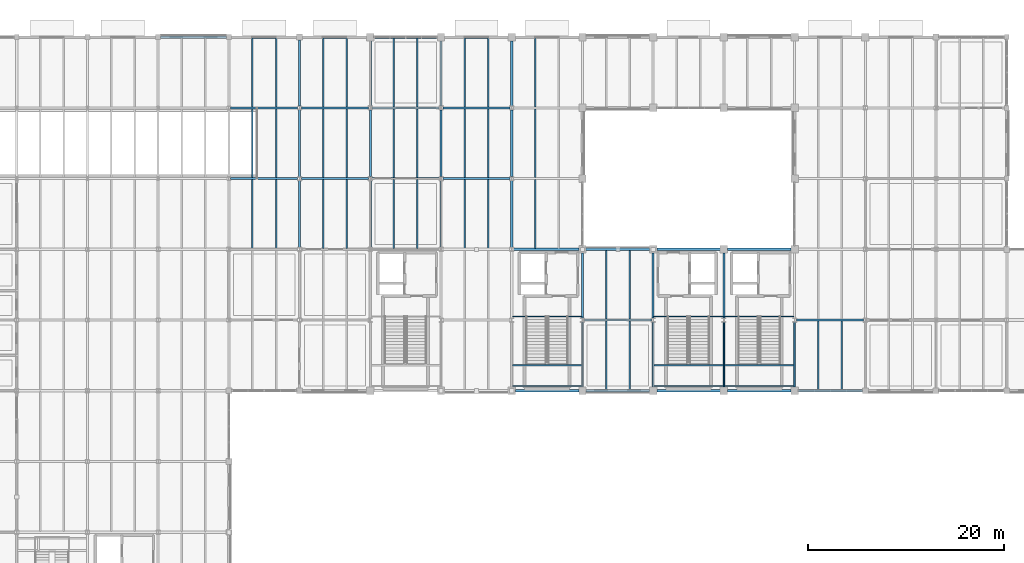
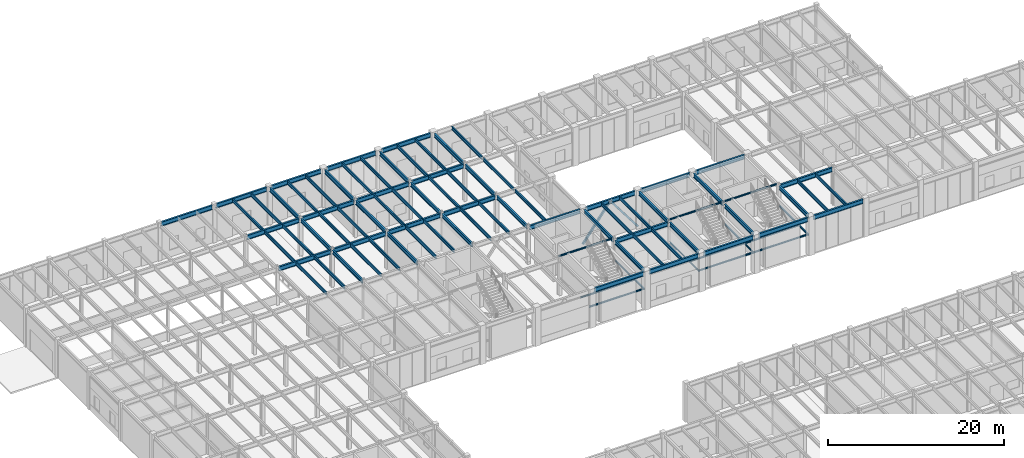
# One storey, part 26 of 97: 89 beams, 2 members.
"""IFC4 building model written with IfcOpenShell, lengths in metres."""

from ifc_helpers import new_model, si_unit, direction, frame, origin, origin_2d, place, context, subcontext, project, spatial, hollow_rectangle, i_section, extrude, material, material_profile, profile_set, type_object, element, save


model = new_model("IFC4")

# Units and contexts
model_context = context("Model", 3, precision=1e-05, world=origin(), true_north=direction((0.0, 1.0)))
body_context = subcontext(model_context, "Body", "Model", "MODEL_VIEW")
ifc_project = project(units=[si_unit("LENGTHUNIT", "METRE"), si_unit("AREAUNIT", "SQUARE_METRE"), si_unit("VOLUMEUNIT", "CUBIC_METRE"), si_unit("PLANEANGLEUNIT", "RADIAN"), si_unit("MASSUNIT", "GRAM", prefix="KILO")], contexts=[model_context])

# Site, building, storey
site_placement = place(None, origin())
site = spatial("IfcSite", under=ifc_project, at=site_placement, CompositionType="ELEMENT")
building_placement = place(site_placement, origin())
building = spatial("IfcBuilding", under=site, at=building_placement, Name="Sillqori Civic Hall", CompositionType="ELEMENT")
storey_placement = place(building_placement, origin())
storey = spatial("IfcBuildingStorey", under=building, at=storey_placement, Name="L01", CompositionType="ELEMENT", Elevation=0.0)

# Beams
ifc_material_1 = material(Name="Steel ASTM A992", Category="steel")
ifc_material_profile_1 = material_profile(ifc_material_1, i_section(OverallWidth=0.2099609375, OverallDepth=0.532958984375, WebThickness=0.01025390625, FlangeThickness=0.015625, FilletRadius=0.013916015625, at=origin_2d()), Name="W21X62")
ifc_profile_set_1 = profile_set([ifc_material_profile_1], Name="Steel ASTM A992")
beam_type_1 = type_object("IfcBeamType", Name="BM-W21X62", PredefinedType="BEAM", material=ifc_profile_set_1)
for number, where, z_axis, x_axis, name in (
    (1, (43.199951171875, 93.787109375, 4.93359375), (0.0, 1.0, 0.0), (-1.0, 0.0, 0.0), "L01 girder Y 6-13"),
    (2, (43.199951171875, 100.987060546875, 4.93359375), (0.0, 1.0, 0.0), (-1.0, 0.0, 0.0), "L01 girder Y 6-14"),
):
    element("IfcBeam", number, at=place(storey_placement, frame(where, z_axis=z_axis, x_axis=x_axis)), inside=storey, type_object=beam_type_1, Name=name, PredefinedType="BEAM", context=body_context, shape_type="SweptSolid", body=[
        extrude(i_section(OverallWidth=0.2099609375, OverallDepth=0.532958984375, WebThickness=0.01025390625, FlangeThickness=0.015625, FilletRadius=0.013916015625, at=origin_2d()), origin(), (0.0, 0.0, 1.0), 6.825927734375),
    ])
beam_1_placement = place(storey_placement, frame((43.199951171875, 108.18701171875, 4.93359375), z_axis=(0.0, 1.0, 0.0), x_axis=(-1.0, 0.0, 0.0)))
element("IfcBeam", 3, at=beam_1_placement, inside=storey, type_object=beam_type_1, Name="L01 girder Y 6-15", PredefinedType="BEAM", context=body_context, shape_type="SweptSolid", body=[
    extrude(i_section(OverallWidth=0.2099609375, OverallDepth=0.532958984375, WebThickness=0.01025390625, FlangeThickness=0.015625, FilletRadius=0.013916015625, at=origin_2d()), origin(), (0.0, 0.0, 1.0), 6.718994140625),
])
beam_2_placement = place(storey_placement, frame((50.39990234375, 93.797119140625, 4.93359375), z_axis=(0.0, 1.0, 0.0), x_axis=(-1.0, 0.0, 0.0)))
element("IfcBeam", 4, at=beam_2_placement, inside=storey, type_object=beam_type_1, Name="L01 girder Y 7-13", PredefinedType="BEAM", context=body_context, shape_type="SweptSolid", body=[
    extrude(i_section(OverallWidth=0.2099609375, OverallDepth=0.532958984375, WebThickness=0.01025390625, FlangeThickness=0.015625, FilletRadius=0.013916015625, at=origin_2d()), origin(), (0.0, 0.0, 1.0), 6.811767578125),
])
beam_3_placement = place(storey_placement, frame((50.39990234375, 100.990966796875, 4.93359375), z_axis=(0.0, 1.0, 0.0), x_axis=(-1.0, 0.0, 0.0)))
element("IfcBeam", 5, at=beam_3_placement, inside=storey, type_object=beam_type_1, Name="L01 girder Y 7-14", PredefinedType="BEAM", context=body_context, shape_type="SweptSolid", body=[
    extrude(i_section(OverallWidth=0.2099609375, OverallDepth=0.532958984375, WebThickness=0.01025390625, FlangeThickness=0.015625, FilletRadius=0.013916015625, at=origin_2d()), origin(), (0.0, 0.0, 1.0), 6.818115234375),
])
beam_4_placement = place(storey_placement, frame((50.39990234375, 108.19091796875, 4.93359375), z_axis=(0.0, 1.0, 0.0), x_axis=(-1.0, 0.0, 0.0)))
element("IfcBeam", 6, at=beam_4_placement, inside=storey, type_object=beam_type_1, Name="L01 girder Y 7-15", PredefinedType="BEAM", context=body_context, shape_type="SweptSolid", body=[
    extrude(i_section(OverallWidth=0.2099609375, OverallDepth=0.532958984375, WebThickness=0.01025390625, FlangeThickness=0.015625, FilletRadius=0.013916015625, at=origin_2d()), origin(), (0.0, 0.0, 1.0), 6.64013671875),
])
for number, where, z_axis, x_axis, name in (
    (7, (57.60009765625, 93.797119140625, 4.93359375), (0.0, 1.0, 0.0), (-1.0, 0.0, 0.0), "L01 girder Y 8-13"),
    (8, (57.60009765625, 100.9970703125, 4.93359375), (0.0, 1.0, 0.0), (-1.0, 0.0, 0.0), "L01 girder Y 8-14"),
):
    element("IfcBeam", number, at=place(storey_placement, frame(where, z_axis=z_axis, x_axis=x_axis)), inside=storey, type_object=beam_type_1, Name=name, PredefinedType="BEAM", context=body_context, shape_type="SweptSolid", body=[
        extrude(i_section(OverallWidth=0.2099609375, OverallDepth=0.532958984375, WebThickness=0.01025390625, FlangeThickness=0.015625, FilletRadius=0.013916015625, at=origin_2d()), origin(), (0.0, 0.0, 1.0), 6.805908203125),
    ])
beam_5_placement = place(storey_placement, frame((57.60009765625, 108.197021484375, 4.93359375), z_axis=(0.0, 1.0, 0.0), x_axis=(-1.0, 0.0, 0.0)))
element("IfcBeam", 9, at=beam_5_placement, inside=storey, type_object=beam_type_1, Name="L01 girder Y 8-15", PredefinedType="BEAM", context=body_context, shape_type="SweptSolid", body=[
    extrude(i_section(OverallWidth=0.2099609375, OverallDepth=0.532958984375, WebThickness=0.01025390625, FlangeThickness=0.015625, FilletRadius=0.013916015625, at=origin_2d()), origin(), (0.0, 0.0, 1.0), 6.634033203125),
])
for number, where, z_axis, x_axis, name in (
    (10, (64.800048828125, 93.797119140625, 4.93359375), (0.0, 1.0, 0.0), (-1.0, 0.0, 0.0), "L01 girder Y 9-13"),
    (11, (64.800048828125, 100.9970703125, 4.93359375), (0.0, 1.0, 0.0), (-1.0, 0.0, 0.0), "L01 girder Y 9-14"),
):
    element("IfcBeam", number, at=place(storey_placement, frame(where, z_axis=z_axis, x_axis=x_axis)), inside=storey, type_object=beam_type_1, Name=name, PredefinedType="BEAM", context=body_context, shape_type="SweptSolid", body=[
        extrude(i_section(OverallWidth=0.2099609375, OverallDepth=0.532958984375, WebThickness=0.01025390625, FlangeThickness=0.015625, FilletRadius=0.013916015625, at=origin_2d()), origin(), (0.0, 0.0, 1.0), 6.805908203125),
    ])
beam_6_placement = place(storey_placement, frame((64.800048828125, 108.197021484375, 4.93359375), z_axis=(0.0, 1.0, 0.0), x_axis=(-1.0, 0.0, 0.0)))
element("IfcBeam", 12, at=beam_6_placement, inside=storey, type_object=beam_type_1, Name="L01 girder Y 9-15", PredefinedType="BEAM", context=body_context, shape_type="SweptSolid", body=[
    extrude(i_section(OverallWidth=0.2099609375, OverallDepth=0.532958984375, WebThickness=0.01025390625, FlangeThickness=0.015625, FilletRadius=0.013916015625, at=origin_2d()), origin(), (0.0, 0.0, 1.0), 6.634033203125),
])
beam_7_placement = place(storey_placement, frame((72.0, 79.569091796875, 4.93359375), z_axis=(0.0, 1.0, 0.0), x_axis=(-1.0, 0.0, 0.0)))
element("IfcBeam", 13, at=beam_7_placement, inside=storey, type_object=beam_type_1, Name="L01 girder Y 10-11", PredefinedType="BEAM", context=body_context, shape_type="SweptSolid", body=[
    extrude(i_section(OverallWidth=0.2099609375, OverallDepth=0.532958984375, WebThickness=0.01025390625, FlangeThickness=0.015625, FilletRadius=0.013916015625, at=origin_2d()), origin(), (0.0, 0.0, 1.0), 6.6337890625),
])
beam_8_placement = place(storey_placement, frame((72.0, 86.596923828125, 4.93359375), z_axis=(0.0, 1.0, 0.0), x_axis=(-1.0, 0.0, 0.0)))
element("IfcBeam", 14, at=beam_8_placement, inside=storey, type_object=beam_type_1, Name="L01 girder Y 10-12", PredefinedType="BEAM", context=body_context, shape_type="SweptSolid", body=[
    extrude(i_section(OverallWidth=0.2099609375, OverallDepth=0.532958984375, WebThickness=0.01025390625, FlangeThickness=0.015625, FilletRadius=0.013916015625, at=origin_2d()), origin(), (0.0, 0.0, 1.0), 6.634033203125),
])
beam_9_placement = place(storey_placement, frame((79.199951171875, 79.569091796875, 4.93359375), z_axis=(0.0, 1.0, 0.0), x_axis=(-1.0, 0.0, 0.0)))
element("IfcBeam", 15, at=beam_9_placement, inside=storey, type_object=beam_type_1, Name="L01 girder Y 11-11", PredefinedType="BEAM", context=body_context, shape_type="SweptSolid", body=[
    extrude(i_section(OverallWidth=0.2099609375, OverallDepth=0.532958984375, WebThickness=0.01025390625, FlangeThickness=0.015625, FilletRadius=0.013916015625, at=origin_2d()), origin(), (0.0, 0.0, 1.0), 6.6337890625),
])
beam_10_placement = place(storey_placement, frame((79.199951171875, 86.596923828125, 4.93359375), z_axis=(0.0, 1.0, 0.0), x_axis=(-1.0, 0.0, 0.0)))
element("IfcBeam", 16, at=beam_10_placement, inside=storey, type_object=beam_type_1, Name="L01 girder Y 11-12", PredefinedType="BEAM", context=body_context, shape_type="SweptSolid", body=[
    extrude(i_section(OverallWidth=0.2099609375, OverallDepth=0.532958984375, WebThickness=0.01025390625, FlangeThickness=0.015625, FilletRadius=0.013916015625, at=origin_2d()), origin(), (0.0, 0.0, 1.0), 6.634033203125),
])
beam_11_placement = place(storey_placement, frame((86.39990234375, 79.569091796875, 4.93359375), z_axis=(0.0, 1.0, 0.0), x_axis=(-1.0, 0.0, 0.0)))
element("IfcBeam", 17, at=beam_11_placement, inside=storey, type_object=beam_type_1, Name="L01 girder Y 12-11", PredefinedType="BEAM", context=body_context, shape_type="SweptSolid", body=[
    extrude(i_section(OverallWidth=0.2099609375, OverallDepth=0.532958984375, WebThickness=0.01025390625, FlangeThickness=0.015625, FilletRadius=0.013916015625, at=origin_2d()), origin(), (0.0, 0.0, 1.0), 6.6337890625),
])
beam_12_placement = place(storey_placement, frame((86.39990234375, 86.596923828125, 4.93359375), z_axis=(0.0, 1.0, 0.0), x_axis=(-1.0, 0.0, 0.0)))
element("IfcBeam", 18, at=beam_12_placement, inside=storey, type_object=beam_type_1, Name="L01 girder Y 12-12", PredefinedType="BEAM", context=body_context, shape_type="SweptSolid", body=[
    extrude(i_section(OverallWidth=0.2099609375, OverallDepth=0.532958984375, WebThickness=0.01025390625, FlangeThickness=0.015625, FilletRadius=0.013916015625, at=origin_2d()), origin(), (0.0, 0.0, 1.0), 6.634033203125),
])
beam_13_placement = place(storey_placement, frame((93.60009765625, 79.569091796875, 4.93359375), z_axis=(0.0, 1.0, 0.0), x_axis=(-1.0, 0.0, 0.0)))
element("IfcBeam", 19, at=beam_13_placement, inside=storey, type_object=beam_type_1, Name="L01 girder Y 13-11", PredefinedType="BEAM", context=body_context, shape_type="SweptSolid", body=[
    extrude(i_section(OverallWidth=0.2099609375, OverallDepth=0.532958984375, WebThickness=0.01025390625, FlangeThickness=0.015625, FilletRadius=0.013916015625, at=origin_2d()), origin(), (0.0, 0.0, 1.0), 6.6337890625),
])
ifc_material_profile_2 = material_profile(ifc_material_1, i_section(OverallWidth=0.22802734375, OverallDepth=0.60205078125, WebThickness=0.010498046875, FlangeThickness=0.014892578125, FilletRadius=0.014892578125, at=origin_2d()), Name="W24X68")
ifc_profile_set_2 = profile_set([ifc_material_profile_2], Name="Steel ASTM A992")
beam_type_2 = type_object("IfcBeamType", Name="BM-W24X68", PredefinedType="BEAM", material=ifc_profile_set_2)
beam_14_placement = place(storey_placement, frame((29.0439453125, 115.199951171875, 4.89892578125), z_axis=(1.0, 0.0, 0.0), x_axis=(0.0, 1.0, 0.0)))
element("IfcBeam", 20, at=beam_14_placement, inside=storey, type_object=beam_type_2, Name="L01 girder X 4-16", PredefinedType="BEAM", context=body_context, shape_type="SweptSolid", body=[
    extrude(i_section(OverallWidth=0.22802734375, OverallDepth=0.60205078125, WebThickness=0.010498046875, FlangeThickness=0.014892578125, FilletRadius=0.014892578125, at=origin_2d()), origin(), (0.0, 0.0, 1.0), 6.712158203125),
])
for number, where, z_axis, x_axis, name in (
    (21, (36.179443359375, 100.800048828125, 4.89892578125), (1.0, 0.0, 0.0), (0.0, 1.0, 0.0), "L01 girder X 5-14"),
    (22, (36.179443359375, 108.0, 4.89892578125), (1.0, 0.0, 0.0), (0.0, 1.0, 0.0), "L01 girder X 5-15"),
):
    element("IfcBeam", number, at=place(storey_placement, frame(where, z_axis=z_axis, x_axis=x_axis)), inside=storey, type_object=beam_type_2, Name=name, PredefinedType="BEAM", context=body_context, shape_type="SweptSolid", body=[
        extrude(i_section(OverallWidth=0.22802734375, OverallDepth=0.60205078125, WebThickness=0.010498046875, FlangeThickness=0.014892578125, FilletRadius=0.014892578125, at=origin_2d()), origin(), (0.0, 0.0, 1.0), 6.8271484375),
    ])
beam_15_placement = place(storey_placement, frame((36.243896484375, 115.199951171875, 4.89892578125), z_axis=(1.0, 0.0, 0.0), x_axis=(0.0, 1.0, 0.0)))
element("IfcBeam", 23, at=beam_15_placement, inside=storey, type_object=beam_type_2, Name="L01 girder X 5-16", PredefinedType="BEAM", context=body_context, shape_type="SweptSolid", body=[
    extrude(i_section(OverallWidth=0.22802734375, OverallDepth=0.60205078125, WebThickness=0.010498046875, FlangeThickness=0.014892578125, FilletRadius=0.014892578125, at=origin_2d()), origin(), (0.0, 0.0, 1.0), 6.662109375),
])
for number, where, z_axis, x_axis, name in (
    (24, (43.3935546875, 100.800048828125, 4.89892578125), (1.0, 0.0, 0.0), (0.0, 1.0, 0.0), "L01 girder X 6-14"),
    (25, (43.3935546875, 108.0, 4.89892578125), (1.0, 0.0, 0.0), (0.0, 1.0, 0.0), "L01 girder X 6-15"),
):
    element("IfcBeam", number, at=place(storey_placement, frame(where, z_axis=z_axis, x_axis=x_axis)), inside=storey, type_object=beam_type_2, Name=name, PredefinedType="BEAM", context=body_context, shape_type="SweptSolid", body=[
        extrude(i_section(OverallWidth=0.22802734375, OverallDepth=0.60205078125, WebThickness=0.010498046875, FlangeThickness=0.014892578125, FilletRadius=0.014892578125, at=origin_2d()), origin(), (0.0, 0.0, 1.0), 6.81298828125),
    ])
beam_16_placement = place(storey_placement, frame((43.493896484375, 115.199951171875, 4.89892578125), z_axis=(1.0, 0.0, 0.0), x_axis=(0.0, 1.0, 0.0)))
element("IfcBeam", 26, at=beam_16_placement, inside=storey, type_object=beam_type_2, Name="L01 girder X 6-16", PredefinedType="BEAM", context=body_context, shape_type="SweptSolid", body=[
    extrude(i_section(OverallWidth=0.22802734375, OverallDepth=0.60205078125, WebThickness=0.010498046875, FlangeThickness=0.014892578125, FilletRadius=0.014892578125, at=origin_2d()), origin(), (0.0, 0.0, 1.0), 6.537109375),
])
for number, where, z_axis, x_axis, name in (
    (27, (50.593505859375, 100.800048828125, 4.89892578125), (1.0, 0.0, 0.0), (0.0, 1.0, 0.0), "L01 girder X 7-14"),
    (28, (50.593505859375, 108.0, 4.89892578125), (1.0, 0.0, 0.0), (0.0, 1.0, 0.0), "L01 girder X 7-15"),
):
    element("IfcBeam", number, at=place(storey_placement, frame(where, z_axis=z_axis, x_axis=x_axis)), inside=storey, type_object=beam_type_2, Name=name, PredefinedType="BEAM", context=body_context, shape_type="SweptSolid", body=[
        extrude(i_section(OverallWidth=0.22802734375, OverallDepth=0.60205078125, WebThickness=0.010498046875, FlangeThickness=0.014892578125, FilletRadius=0.014892578125, at=origin_2d()), origin(), (0.0, 0.0, 1.0), 6.810546875),
    ])
beam_17_placement = place(storey_placement, frame((50.76904296875, 115.199951171875, 4.89892578125), z_axis=(1.0, 0.0, 0.0), x_axis=(0.0, 1.0, 0.0)))
element("IfcBeam", 29, at=beam_17_placement, inside=storey, type_object=beam_type_2, Name="L01 girder X 7-16", PredefinedType="BEAM", context=body_context, shape_type="SweptSolid", body=[
    extrude(i_section(OverallWidth=0.22802734375, OverallDepth=0.60205078125, WebThickness=0.010498046875, FlangeThickness=0.014892578125, FilletRadius=0.014892578125, at=origin_2d()), origin(), (0.0, 0.0, 1.0), 6.4619140625),
])
for number, where, z_axis, x_axis, name in (
    (30, (57.7958984375, 100.800048828125, 4.89892578125), (1.0, 0.0, 0.0), (0.0, 1.0, 0.0), "L01 girder X 8-14"),
    (31, (57.7958984375, 108.0, 4.89892578125), (1.0, 0.0, 0.0), (0.0, 1.0, 0.0), "L01 girder X 8-15"),
):
    element("IfcBeam", number, at=place(storey_placement, frame(where, z_axis=z_axis, x_axis=x_axis)), inside=storey, type_object=beam_type_2, Name=name, PredefinedType="BEAM", context=body_context, shape_type="SweptSolid", body=[
        extrude(i_section(OverallWidth=0.22802734375, OverallDepth=0.60205078125, WebThickness=0.010498046875, FlangeThickness=0.014892578125, FilletRadius=0.014892578125, at=origin_2d()), origin(), (0.0, 0.0, 1.0), 6.80810546875),
    ])
beam_18_placement = place(storey_placement, frame((57.968994140625, 115.199951171875, 4.89892578125), z_axis=(1.0, 0.0, 0.0), x_axis=(0.0, 1.0, 0.0)))
element("IfcBeam", 32, at=beam_18_placement, inside=storey, type_object=beam_type_2, Name="L01 girder X 8-16", PredefinedType="BEAM", context=body_context, shape_type="SweptSolid", body=[
    extrude(i_section(OverallWidth=0.22802734375, OverallDepth=0.60205078125, WebThickness=0.010498046875, FlangeThickness=0.014892578125, FilletRadius=0.014892578125, at=origin_2d()), origin(), (0.0, 0.0, 1.0), 6.4619140625),
])
beam_19_placement = place(storey_placement, frame((65.1689453125, 79.199951171875, 4.89892578125), z_axis=(1.0, 0.0, 0.0), x_axis=(0.0, 1.0, 0.0)))
element("IfcBeam", 33, at=beam_19_placement, inside=storey, type_object=beam_type_2, Name="L01 girder X 9-11", PredefinedType="BEAM", context=body_context, shape_type="SweptSolid", body=[
    extrude(i_section(OverallWidth=0.22802734375, OverallDepth=0.60205078125, WebThickness=0.010498046875, FlangeThickness=0.014892578125, FilletRadius=0.014892578125, at=origin_2d()), origin(), (0.0, 0.0, 1.0), 6.462158203125),
])
beam_20_placement = place(storey_placement, frame((64.99609375, 93.60009765625, 4.89892578125), z_axis=(1.0, 0.0, 0.0), x_axis=(0.0, 1.0, 0.0)))
element("IfcBeam", 34, at=beam_20_placement, inside=storey, type_object=beam_type_2, Name="L01 girder X 9-13", PredefinedType="BEAM", context=body_context, shape_type="SweptSolid", body=[
    extrude(i_section(OverallWidth=0.22802734375, OverallDepth=0.60205078125, WebThickness=0.010498046875, FlangeThickness=0.014892578125, FilletRadius=0.014892578125, at=origin_2d()), origin(), (0.0, 0.0, 1.0), 6.635009765625),
])
beam_21_placement = place(storey_placement, frame((72.368896484375, 79.199951171875, 4.89892578125), z_axis=(1.0, 0.0, 0.0), x_axis=(0.0, 1.0, 0.0)))
element("IfcBeam", 35, at=beam_21_placement, inside=storey, type_object=beam_type_2, Name="L01 girder X 10-11", PredefinedType="BEAM", context=body_context, shape_type="SweptSolid", body=[
    extrude(i_section(OverallWidth=0.22802734375, OverallDepth=0.60205078125, WebThickness=0.010498046875, FlangeThickness=0.014892578125, FilletRadius=0.014892578125, at=origin_2d()), origin(), (0.0, 0.0, 1.0), 6.462158203125),
])
beam_22_placement = place(storey_placement, frame((72.196044921875, 86.39990234375, 4.89892578125), z_axis=(1.0, 0.0, 0.0), x_axis=(0.0, 1.0, 0.0)))
element("IfcBeam", 36, at=beam_22_placement, inside=storey, type_object=beam_type_2, Name="L01 girder X 10-12", PredefinedType="BEAM", context=body_context, shape_type="SweptSolid", body=[
    extrude(i_section(OverallWidth=0.22802734375, OverallDepth=0.60205078125, WebThickness=0.010498046875, FlangeThickness=0.014892578125, FilletRadius=0.014892578125, at=origin_2d()), origin(), (0.0, 0.0, 1.0), 6.807861328125),
])
beam_23_placement = place(storey_placement, frame((72.368896484375, 93.60009765625, 4.89892578125), z_axis=(1.0, 0.0, 0.0), x_axis=(0.0, 1.0, 0.0)))
element("IfcBeam", 37, at=beam_23_placement, inside=storey, type_object=beam_type_2, Name="L01 girder X 10-13", PredefinedType="BEAM", context=body_context, shape_type="SweptSolid", body=[
    extrude(i_section(OverallWidth=0.22802734375, OverallDepth=0.60205078125, WebThickness=0.010498046875, FlangeThickness=0.014892578125, FilletRadius=0.014892578125, at=origin_2d()), origin(), (0.0, 0.0, 1.0), 6.462158203125),
])
for number, where, z_axis, x_axis, name in (
    (38, (79.569091796875, 79.199951171875, 4.89892578125), (1.0, 0.0, 0.0), (0.0, 1.0, 0.0), "L01 girder X 11-11"),
    (39, (79.569091796875, 93.60009765625, 4.89892578125), (1.0, 0.0, 0.0), (0.0, 1.0, 0.0), "L01 girder X 11-13"),
    (40, (86.76904296875, 79.199951171875, 4.89892578125), (1.0, 0.0, 0.0), (0.0, 1.0, 0.0), "L01 girder X 12-11"),
    (41, (86.76904296875, 93.60009765625, 4.89892578125), (1.0, 0.0, 0.0), (0.0, 1.0, 0.0), "L01 girder X 12-13"),
):
    element("IfcBeam", number, at=place(storey_placement, frame(where, z_axis=z_axis, x_axis=x_axis)), inside=storey, type_object=beam_type_2, Name=name, PredefinedType="BEAM", context=body_context, shape_type="SweptSolid", body=[
        extrude(i_section(OverallWidth=0.22802734375, OverallDepth=0.60205078125, WebThickness=0.010498046875, FlangeThickness=0.014892578125, FilletRadius=0.014892578125, at=origin_2d()), origin(), (0.0, 0.0, 1.0), 6.4619140625),
    ])
beam_24_placement = place(storey_placement, frame((93.968994140625, 79.199951171875, 4.89892578125), z_axis=(1.0, 0.0, 0.0), x_axis=(0.0, 1.0, 0.0)))
element("IfcBeam", 42, at=beam_24_placement, inside=storey, type_object=beam_type_2, Name="L01 girder X 13-11", PredefinedType="BEAM", context=body_context, shape_type="SweptSolid", body=[
    extrude(i_section(OverallWidth=0.22802734375, OverallDepth=0.60205078125, WebThickness=0.010498046875, FlangeThickness=0.014892578125, FilletRadius=0.014892578125, at=origin_2d()), origin(), (0.0, 0.0, 1.0), 6.537109375),
])
beam_25_placement = place(storey_placement, frame((93.7958984375, 86.39990234375, 4.89892578125), z_axis=(1.0, 0.0, 0.0), x_axis=(0.0, 1.0, 0.0)))
element("IfcBeam", 43, at=beam_25_placement, inside=storey, type_object=beam_type_2, Name="L01 girder X 13-12", PredefinedType="BEAM", context=body_context, shape_type="SweptSolid", body=[
    extrude(i_section(OverallWidth=0.22802734375, OverallDepth=0.60205078125, WebThickness=0.010498046875, FlangeThickness=0.014892578125, FilletRadius=0.014892578125, at=origin_2d()), origin(), (0.0, 0.0, 1.0), 6.80810546875),
])

# Members
ifc_material_2 = material(Name="Steel ASTM A500 Grade C", Category="steel")
ifc_material_profile_3 = material_profile(ifc_material_2, hollow_rectangle(XDim=0.25, YDim=0.25, WallThickness=0.011962890625, InnerFilletRadius=0.011962890625, OuterFilletRadius=0.02392578125, at=origin_2d()), Name="HSS250X250X12")
ifc_profile_set_3 = profile_set([ifc_material_profile_3], Name="Steel ASTM A500 Grade C")
member_type = type_object("IfcMemberType", Name="BR-HSS250", PredefinedType="BRACE", material=ifc_profile_set_3)
member_1_placement = place(storey_placement, frame((72.0, 93.60009765625, 0.14990234375), z_axis=(0.60402960076, 0.0, 0.796961882028), x_axis=(0.0, 1.0, 0.0)))
element("IfcMember", 44, at=member_1_placement, inside=storey, type_object=member_type, Name="L01 seismic chevron brace L X13-10", PredefinedType="BRACE", context=body_context, shape_type="SweptSolid", body=[
    extrude(hollow_rectangle(XDim=0.25, YDim=0.25, WallThickness=0.011962890625, InnerFilletRadius=0.011962890625, OuterFilletRadius=0.02392578125, at=origin_2d()), origin(), (0.0, 0.0, 1.0), 5.960205078125),
])
member_2_placement = place(storey_placement, frame((79.199951171875, 93.60009765625, 0.14990234375), z_axis=(-0.604003582682, 0.0, 0.796981600859), x_axis=(0.0, -1.0, 0.0)))
element("IfcMember", 45, at=member_2_placement, inside=storey, type_object=member_type, Name="L01 seismic chevron brace R X13-10", PredefinedType="BRACE", context=body_context, shape_type="SweptSolid", body=[
    extrude(hollow_rectangle(XDim=0.25, YDim=0.25, WallThickness=0.011962890625, InnerFilletRadius=0.011962890625, OuterFilletRadius=0.02392578125, at=origin_2d()), origin(), (0.0, 0.0, 1.0), 5.9599609375),
])

# Beams
ifc_material_profile_4 = material_profile(ifc_material_1, i_section(OverallWidth=0.153076171875, OverallDepth=0.455078125, WebThickness=0.008056640625, FlangeThickness=0.01318359375, FilletRadius=0.012939453125, at=origin_2d()), Name="W18X40")
ifc_profile_set_4 = profile_set([ifc_material_profile_4], Name="Steel ASTM A992")
beam_type_3 = type_object("IfcBeamType", Name="JS-W18X40", PredefinedType="JOIST", material=ifc_profile_set_4)
for number, where, z_axis, x_axis, name in (
    (46, (38.39990234375, 93.695068359375, 4.972412109375), (0.0, 1.0, 0.0), (-1.0, 0.0, 0.0), "L01 composite joist 5-13.1"),
    (47, (40.800048828125, 93.695068359375, 4.972412109375), (0.0, 1.0, 0.0), (-1.0, 0.0, 0.0), "L01 composite joist 5-13.2"),
    (48, (38.39990234375, 100.89501953125, 4.972412109375), (0.0, 1.0, 0.0), (-1.0, 0.0, 0.0), "L01 composite joist 5-14.1"),
    (49, (40.800048828125, 100.89501953125, 4.972412109375), (0.0, 1.0, 0.0), (-1.0, 0.0, 0.0), "L01 composite joist 5-14.2"),
    (50, (38.39990234375, 108.094970703125, 4.972412109375), (0.0, 1.0, 0.0), (-1.0, 0.0, 0.0), "L01 composite joist 5-15.1"),
    (51, (40.800048828125, 108.094970703125, 4.972412109375), (0.0, 1.0, 0.0), (-1.0, 0.0, 0.0), "L01 composite joist 5-15.2"),
    (52, (45.60009765625, 93.695068359375, 4.972412109375), (0.0, 1.0, 0.0), (-1.0, 0.0, 0.0), "L01 composite joist 6-13.1"),
    (53, (48.0, 93.695068359375, 4.972412109375), (0.0, 1.0, 0.0), (-1.0, 0.0, 0.0), "L01 composite joist 6-13.2"),
    (54, (45.60009765625, 100.89501953125, 4.972412109375), (0.0, 1.0, 0.0), (-1.0, 0.0, 0.0), "L01 composite joist 6-14.1"),
    (55, (48.0, 100.89501953125, 4.972412109375), (0.0, 1.0, 0.0), (-1.0, 0.0, 0.0), "L01 composite joist 6-14.2"),
    (56, (45.60009765625, 108.094970703125, 4.972412109375), (0.0, 1.0, 0.0), (-1.0, 0.0, 0.0), "L01 composite joist 6-15.1"),
    (57, (48.0, 108.094970703125, 4.972412109375), (0.0, 1.0, 0.0), (-1.0, 0.0, 0.0), "L01 composite joist 6-15.2"),
    (58, (52.800048828125, 93.695068359375, 4.972412109375), (0.0, 1.0, 0.0), (-1.0, 0.0, 0.0), "L01 composite joist 7-13.1"),
    (59, (55.199951171875, 93.695068359375, 4.972412109375), (0.0, 1.0, 0.0), (-1.0, 0.0, 0.0), "L01 composite joist 7-13.2"),
    (60, (52.800048828125, 100.89501953125, 4.972412109375), (0.0, 1.0, 0.0), (-1.0, 0.0, 0.0), "L01 composite joist 7-14.1"),
    (61, (55.199951171875, 100.89501953125, 4.972412109375), (0.0, 1.0, 0.0), (-1.0, 0.0, 0.0), "L01 composite joist 7-14.2"),
    (62, (52.800048828125, 108.094970703125, 4.972412109375), (0.0, 1.0, 0.0), (-1.0, 0.0, 0.0), "L01 composite joist 7-15.1"),
    (63, (55.199951171875, 108.094970703125, 4.972412109375), (0.0, 1.0, 0.0), (-1.0, 0.0, 0.0), "L01 composite joist 7-15.2"),
    (64, (60.0, 93.695068359375, 4.972412109375), (0.0, 1.0, 0.0), (-1.0, 0.0, 0.0), "L01 composite joist 8-13.1"),
    (65, (62.39990234375, 93.695068359375, 4.972412109375), (0.0, 1.0, 0.0), (-1.0, 0.0, 0.0), "L01 composite joist 8-13.2"),
    (66, (60.0, 100.89501953125, 4.972412109375), (0.0, 1.0, 0.0), (-1.0, 0.0, 0.0), "L01 composite joist 8-14.1"),
    (67, (62.39990234375, 100.89501953125, 4.972412109375), (0.0, 1.0, 0.0), (-1.0, 0.0, 0.0), "L01 composite joist 8-14.2"),
    (68, (60.0, 108.094970703125, 4.972412109375), (0.0, 1.0, 0.0), (-1.0, 0.0, 0.0), "L01 composite joist 8-15.1"),
    (69, (62.39990234375, 108.094970703125, 4.972412109375), (0.0, 1.0, 0.0), (-1.0, 0.0, 0.0), "L01 composite joist 8-15.2"),
    (70, (67.199951171875, 93.695068359375, 4.972412109375), (0.0, 1.0, 0.0), (-1.0, 0.0, 0.0), "L01 composite joist 9-13.1"),
    (71, (67.199951171875, 100.89501953125, 4.972412109375), (0.0, 1.0, 0.0), (-1.0, 0.0, 0.0), "L01 composite joist 9-14.1"),
    (72, (67.199951171875, 108.094970703125, 4.972412109375), (0.0, 1.0, 0.0), (-1.0, 0.0, 0.0), "L01 composite joist 9-15.1"),
    (73, (74.39990234375, 79.294921875, 4.972412109375), (0.0, 1.0, 0.0), (-1.0, 0.0, 0.0), "L01 composite joist 10-11.1"),
    (74, (76.800048828125, 79.294921875, 4.972412109375), (0.0, 1.0, 0.0), (-1.0, 0.0, 0.0), "L01 composite joist 10-11.2"),
):
    element("IfcBeam", number, at=place(storey_placement, frame(where, z_axis=z_axis, x_axis=x_axis)), inside=storey, type_object=beam_type_3, Name=name, PredefinedType="JOIST", context=body_context, shape_type="SweptSolid", body=[
        extrude(i_section(OverallWidth=0.153076171875, OverallDepth=0.455078125, WebThickness=0.008056640625, FlangeThickness=0.01318359375, FilletRadius=0.012939453125, at=origin_2d()), origin(), (0.0, 0.0, 1.0), 7.010009765625),
    ])
for number, where, z_axis, x_axis, name in (
    (75, (74.39990234375, 86.4951171875, 4.972412109375), (0.0, 1.0, 0.0), (-1.0, 0.0, 0.0), "L01 composite joist 10-12.1"),
    (76, (76.800048828125, 86.4951171875, 4.972412109375), (0.0, 1.0, 0.0), (-1.0, 0.0, 0.0), "L01 composite joist 10-12.2"),
):
    element("IfcBeam", number, at=place(storey_placement, frame(where, z_axis=z_axis, x_axis=x_axis)), inside=storey, type_object=beam_type_3, Name=name, PredefinedType="JOIST", context=body_context, shape_type="SweptSolid", body=[
        extrude(i_section(OverallWidth=0.153076171875, OverallDepth=0.455078125, WebThickness=0.008056640625, FlangeThickness=0.01318359375, FilletRadius=0.012939453125, at=origin_2d()), origin(), (0.0, 0.0, 1.0), 7.009765625),
    ])
for number, where, z_axis, x_axis, name in (
    (77, (96.0, 79.294921875, 4.972412109375), (0.0, 1.0, 0.0), (-1.0, 0.0, 0.0), "L01 composite joist 13-11.1"),
    (78, (98.39990234375, 79.294921875, 4.972412109375), (0.0, 1.0, 0.0), (-1.0, 0.0, 0.0), "L01 composite joist 13-11.2"),
):
    element("IfcBeam", number, at=place(storey_placement, frame(where, z_axis=z_axis, x_axis=x_axis)), inside=storey, type_object=beam_type_3, Name=name, PredefinedType="JOIST", context=body_context, shape_type="SweptSolid", body=[
        extrude(i_section(OverallWidth=0.153076171875, OverallDepth=0.455078125, WebThickness=0.008056640625, FlangeThickness=0.01318359375, FilletRadius=0.012939453125, at=origin_2d()), origin(), (0.0, 0.0, 1.0), 7.010009765625),
    ])
ifc_material_profile_5 = material_profile(ifc_material_1, i_section(OverallWidth=0.133056640625, OverallDepth=0.20703125, WebThickness=0.005859375, FlangeThickness=0.00830078125, FilletRadius=0.008056640625, at=origin_2d()), Name="W8X18")
ifc_profile_set_5 = profile_set([ifc_material_profile_5], Name="Steel ASTM A992")
beam_type_4 = type_object("IfcBeamType", Name="LN-W8X18", PredefinedType="LINTEL", material=ifc_profile_set_5)
beam_26_placement = place(storey_placement, frame((72.0, 79.569091796875, 2.382568359375), z_axis=(0.0, 1.0, 0.0), x_axis=(-1.0, 0.0, 0.0)))
element("IfcBeam", 79, at=beam_26_placement, inside=storey, type_object=beam_type_4, Name="L01 grid 10 stair landing stringer 1", PredefinedType="LINTEL", context=body_context, shape_type="SweptSolid", body=[
    extrude(i_section(OverallWidth=0.133056640625, OverallDepth=0.20703125, WebThickness=0.005859375, FlangeThickness=0.00830078125, FilletRadius=0.008056640625, at=origin_2d()), origin(), (0.0, 0.0, 1.0), 6.6337890625),
])
for number, where, z_axis, x_axis, name in (
    (80, (64.85009765625, 79.695068359375, 2.382568359375), (1.0, 0.0, 0.0), (0.0, 1.0, 0.0), "L01 C6 stair half-landing steel ledger 1.1"),
    (81, (64.85009765625, 81.7900390625, 2.382568359375), (1.0, 0.0, 0.0), (0.0, 1.0, 0.0), "L01 C6 stair half-landing steel ledger 1.2"),
    (82, (64.85009765625, 86.77001953125, 5.1025390625), (1.0, 0.0, 0.0), (0.0, 1.0, 0.0), "L01 C6 stair upper arrival steel trimmer"),
):
    element("IfcBeam", number, at=place(storey_placement, frame(where, z_axis=z_axis, x_axis=x_axis)), inside=storey, type_object=beam_type_4, Name=name, PredefinedType="LINTEL", context=body_context, shape_type="SweptSolid", body=[
        extrude(i_section(OverallWidth=0.133056640625, OverallDepth=0.20703125, WebThickness=0.005859375, FlangeThickness=0.00830078125, FilletRadius=0.008056640625, at=origin_2d()), origin(), (0.0, 0.0, 1.0), 7.099853515625),
    ])
for number, where, z_axis, x_axis, name in (
    (83, (79.199951171875, 79.569091796875, 2.382568359375), (0.0, 1.0, 0.0), (-1.0, 0.0, 0.0), "L01 grid 11 stair landing stringer 1"),
    (84, (86.39990234375, 79.569091796875, 2.382568359375), (0.0, 1.0, 0.0), (-1.0, 0.0, 0.0), "L01 grid 12 stair landing stringer 1"),
):
    element("IfcBeam", number, at=place(storey_placement, frame(where, z_axis=z_axis, x_axis=x_axis)), inside=storey, type_object=beam_type_4, Name=name, PredefinedType="LINTEL", context=body_context, shape_type="SweptSolid", body=[
        extrude(i_section(OverallWidth=0.133056640625, OverallDepth=0.20703125, WebThickness=0.005859375, FlangeThickness=0.00830078125, FilletRadius=0.008056640625, at=origin_2d()), origin(), (0.0, 0.0, 1.0), 6.6337890625),
    ])
for number, where, z_axis, x_axis, name in (
    (85, (79.25, 79.695068359375, 2.382568359375), (1.0, 0.0, 0.0), (0.0, 1.0, 0.0), "L01 C7 stair half-landing steel ledger 1.1"),
    (86, (79.25, 81.7900390625, 2.382568359375), (1.0, 0.0, 0.0), (0.0, 1.0, 0.0), "L01 C7 stair half-landing steel ledger 1.2"),
    (87, (79.25, 86.77001953125, 5.1025390625), (1.0, 0.0, 0.0), (0.0, 1.0, 0.0), "L01 C7 stair upper arrival steel trimmer"),
):
    element("IfcBeam", number, at=place(storey_placement, frame(where, z_axis=z_axis, x_axis=x_axis)), inside=storey, type_object=beam_type_4, Name=name, PredefinedType="LINTEL", context=body_context, shape_type="SweptSolid", body=[
        extrude(i_section(OverallWidth=0.133056640625, OverallDepth=0.20703125, WebThickness=0.005859375, FlangeThickness=0.00830078125, FilletRadius=0.008056640625, at=origin_2d()), origin(), (0.0, 0.0, 1.0), 7.10009765625),
    ])
beam_27_placement = place(storey_placement, frame((93.60009765625, 79.569091796875, 2.382568359375), z_axis=(0.0, 1.0, 0.0), x_axis=(-1.0, 0.0, 0.0)))
element("IfcBeam", 88, at=beam_27_placement, inside=storey, type_object=beam_type_4, Name="L01 grid 13 stair landing stringer 1", PredefinedType="LINTEL", context=body_context, shape_type="SweptSolid", body=[
    extrude(i_section(OverallWidth=0.133056640625, OverallDepth=0.20703125, WebThickness=0.005859375, FlangeThickness=0.00830078125, FilletRadius=0.008056640625, at=origin_2d()), origin(), (0.0, 0.0, 1.0), 6.6337890625),
])
for number, where, z_axis, x_axis, name in (
    (89, (86.449951171875, 79.695068359375, 2.382568359375), (1.0, 0.0, 0.0), (0.0, 1.0, 0.0), "L01 C8 stair half-landing steel ledger 1.1"),
    (90, (86.449951171875, 81.7900390625, 2.382568359375), (1.0, 0.0, 0.0), (0.0, 1.0, 0.0), "L01 C8 stair half-landing steel ledger 1.2"),
    (91, (86.449951171875, 86.77001953125, 5.1025390625), (1.0, 0.0, 0.0), (0.0, 1.0, 0.0), "L01 C8 stair upper arrival steel trimmer"),
):
    element("IfcBeam", number, at=place(storey_placement, frame(where, z_axis=z_axis, x_axis=x_axis)), inside=storey, type_object=beam_type_4, Name=name, PredefinedType="LINTEL", context=body_context, shape_type="SweptSolid", body=[
        extrude(i_section(OverallWidth=0.133056640625, OverallDepth=0.20703125, WebThickness=0.005859375, FlangeThickness=0.00830078125, FilletRadius=0.008056640625, at=origin_2d()), origin(), (0.0, 0.0, 1.0), 7.10009765625),
    ])

save(model, "model.ifc")
